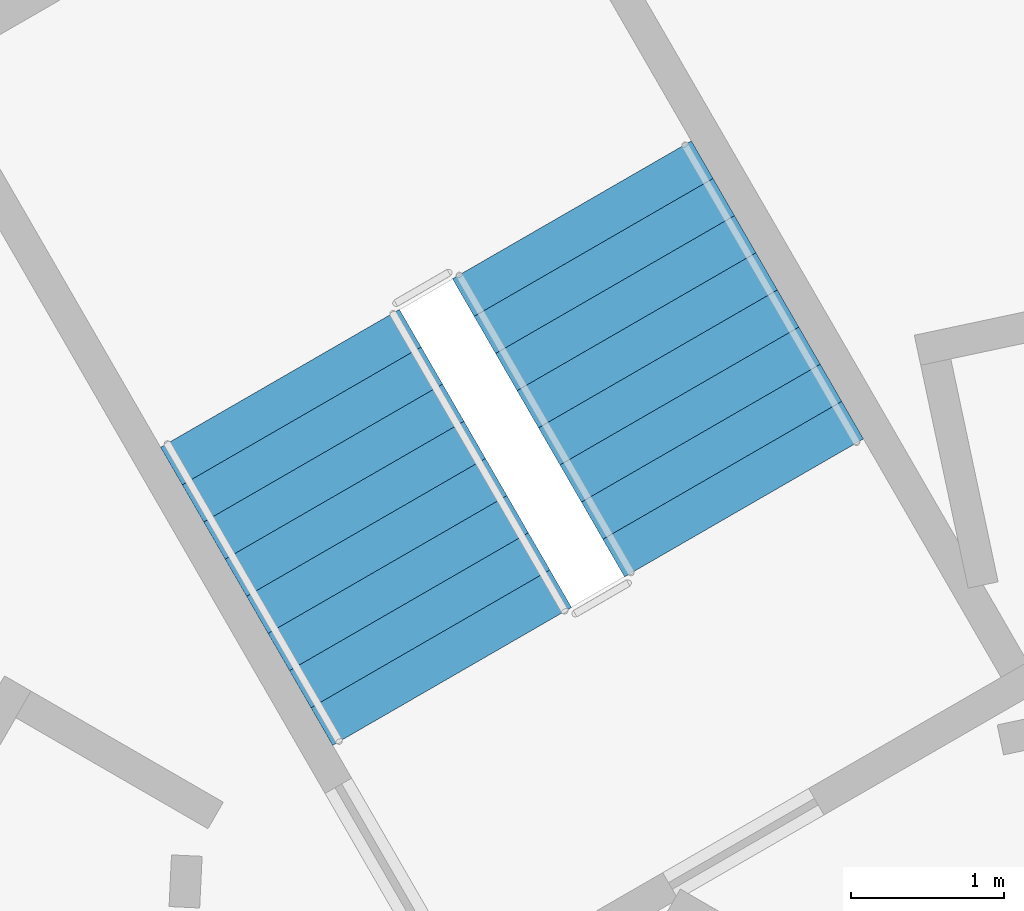
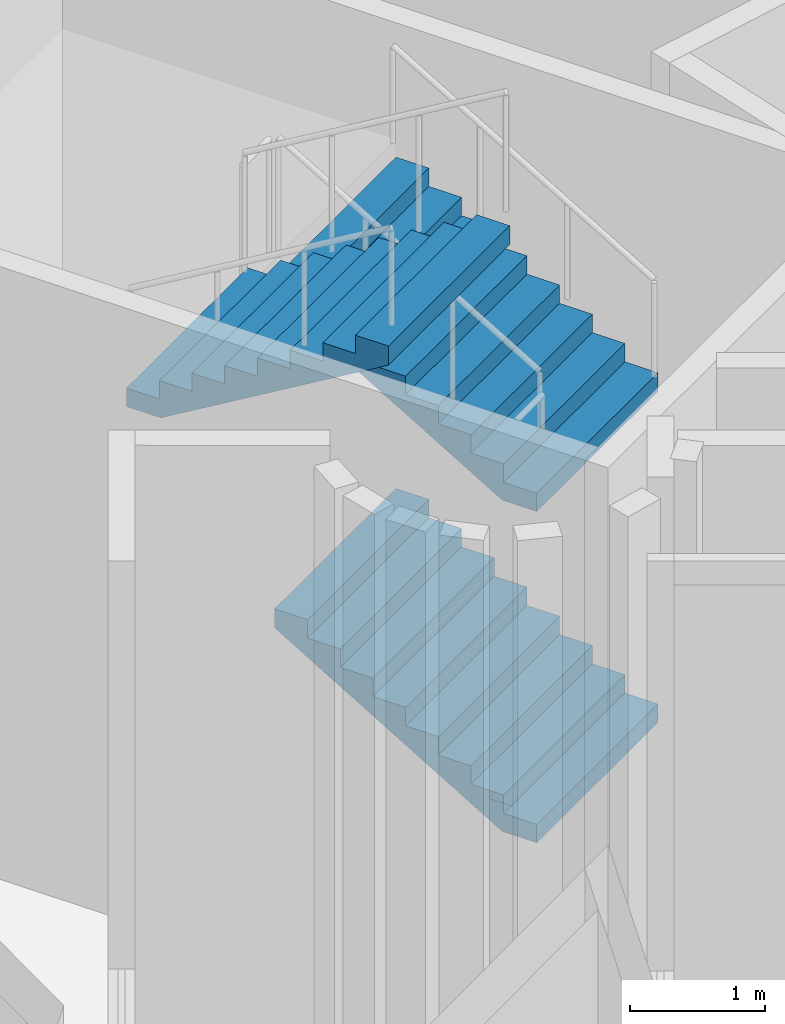
# One storey, part 10 of 15: 3 stair flights, 1 element without a shape of its own.
"""IFC4 building model written with IfcOpenShell, lengths in metres."""

from ifc_helpers import new_model, si_unit, direction, frame, origin, place, context, subcontext, project, spatial, triangles, material, type_object, element, aggregate, save


model = new_model("IFC4")

# Units and contexts
model_context = context("Model", 3, precision=1e-05, world=origin(), true_north=direction((0.0, 1.0)))
body_context = subcontext(model_context, "Body", "Model", "MODEL_VIEW")
ifc_project = project(units=[si_unit("LENGTHUNIT", "METRE"), si_unit("AREAUNIT", "SQUARE_METRE"), si_unit("VOLUMEUNIT", "CUBIC_METRE"), si_unit("PLANEANGLEUNIT", "RADIAN"), si_unit("MASSUNIT", "GRAM", prefix="KILO")], contexts=[model_context])

# Site, building, storey
site_placement = place(None, origin())
site = spatial("IfcSite", under=ifc_project, at=site_placement, CompositionType="ELEMENT")
building_placement = place(site_placement, origin())
building = spatial("IfcBuilding", under=site, at=building_placement, Name="Entoto Arch Interchange Tower", CompositionType="ELEMENT")
storey_placement = place(building_placement, frame((0.0, 0.0, 9.0)))
storey = spatial("IfcBuildingStorey", under=building, at=storey_placement, Name="L01", CompositionType="ELEMENT", Elevation=9.0)

# Stair, stair flights
ifc_material = material(Name="Concrete C40/50", Category="concrete")
stair_type = type_object("IfcStairType", Name="EXIT STAIR RC 1800", PredefinedType="HALF_TURN_STAIR", material=ifc_material)
stair_placement = place(storey_placement, origin())
stair = element("IfcStair", 1, at=stair_placement, inside=storey, type_object=stair_type, Name="L01 Exit stair NE", PredefinedType="HALF_TURN_STAIR")
stair_flight_type = type_object("IfcStairFlightType", Name="EXIT STAIR FLIGHT RC 1800", PredefinedType="STRAIGHT", material=ifc_material)
stair_flight_1_placement = place(storey_placement, frame((6.7138671875, 4.470947265625, 0.0), z_axis=(0.0, 0.0, 1.0), x_axis=(-0.5, 0.866025403784, 0.0)))
stair_flight_1 = element("IfcStairFlight", 2, at=stair_flight_1_placement, type_object=stair_flight_type, Name="ST-NE flight 1", NumberOfRisers=9, NumberOfTreads=8, PredefinedType="STRAIGHT", RiserHeight=0.166666667, TreadLength=0.28, context=body_context, shape_type="Tessellation", body=[
    triangles([(-0.003, -0.900024, 0.0), (-0.003, -0.900024, 0.166667), (0.28, -0.900024, 0.166667), (0.28, -0.900024, 0.333333), (0.56, -0.900024, 0.333333), (0.56, -0.900024, 0.5), (0.84, -0.900024, 0.5), (0.84, -0.900024, 0.666667), (1.12, -0.900024, 0.666667), (1.12, -0.900024, 0.833333), (1.4, -0.900024, 0.833333), (1.4, -0.900024, 1.0), (1.68, -0.900024, 1.0), (1.68, -0.900024, 1.166667), (1.96, -0.900024, 1.166667), (1.96, -0.900024, 1.333333), (2.24, -0.900024, 1.333333), (2.243, -0.900024, 1.333333), (2.243, -0.900024, 1.160671), (0.293073, -0.900024, 0.0), (-0.003, 0.900024, 0.0), (-0.003, 0.900024, 0.166667), (0.28, 0.900024, 0.166667), (0.28, 0.900024, 0.333333), (0.56, 0.900024, 0.333333), (0.56, 0.900024, 0.5), (0.84, 0.900024, 0.5), (0.84, 0.900024, 0.666667), (1.12, 0.900024, 0.666667), (1.12, 0.900024, 0.833333), (1.4, 0.900024, 0.833333), (1.4, 0.900024, 1.0), (1.68, 0.900024, 1.0), (1.68, 0.900024, 1.166667), (1.96, 0.900024, 1.166667), (1.96, 0.900024, 1.333333), (2.24, 0.900024, 1.333333), (2.243, 0.900024, 1.333333), (2.243, 0.900024, 1.160671), (0.293073, 0.900024, 0.0), (-0.003, 0.0, 0.0), (-0.003, 0.0, 0.166667), (0.28, 0.0, 0.166667), (0.28, 0.0, 0.333333), (0.56, 0.0, 0.333333), (0.56, 0.0, 0.5), (0.84, 0.0, 0.5), (0.84, 0.0, 0.666667), (1.12, 0.0, 0.666667), (1.12, 0.0, 0.833333), (1.4, 0.0, 0.833333), (1.4, 0.0, 1.0), (1.68, 0.0, 1.0), (1.68, 0.0, 1.166667), (1.96, 0.0, 1.166667), (1.96, 0.0, 1.333333), (2.24, 0.0, 1.333333), (2.243, 0.0, 1.333333), (2.243, 0.0, 1.160671), (0.293073, 0.0, 0.0)], [[1, 20, 19], [19, 18, 17], [19, 17, 16], [19, 16, 15], [19, 15, 14], [19, 14, 13], [13, 12, 11], [19, 13, 11], [11, 10, 9], [19, 11, 9], [9, 8, 7], [19, 9, 7], [7, 6, 5], [19, 7, 5], [5, 4, 3], [19, 5, 3], [1, 19, 3], [3, 2, 1], [21, 39, 40], [39, 37, 38], [39, 36, 37], [39, 35, 36], [39, 34, 35], [39, 33, 34], [33, 31, 32], [39, 31, 33], [31, 29, 30], [39, 29, 31], [29, 27, 28], [39, 27, 29], [27, 25, 26], [39, 25, 27], [25, 23, 24], [39, 23, 25], [21, 23, 39], [23, 21, 22], [1, 2, 42], [1, 42, 41], [41, 42, 22], [41, 22, 21], [2, 3, 43], [2, 43, 42], [42, 43, 23], [42, 23, 22], [3, 4, 44], [3, 44, 43], [43, 44, 24], [43, 24, 23], [4, 5, 45], [4, 45, 44], [44, 45, 25], [44, 25, 24], [5, 6, 46], [5, 46, 45], [45, 46, 26], [45, 26, 25], [6, 7, 47], [6, 47, 46], [46, 47, 27], [46, 27, 26], [7, 8, 48], [7, 48, 47], [47, 48, 28], [47, 28, 27], [8, 9, 49], [8, 49, 48], [48, 49, 29], [48, 29, 28], [9, 10, 50], [9, 50, 49], [49, 50, 30], [49, 30, 29], [10, 11, 51], [10, 51, 50], [50, 51, 31], [50, 31, 30], [11, 12, 52], [11, 52, 51], [51, 52, 32], [51, 32, 31], [12, 13, 53], [12, 53, 52], [52, 53, 33], [52, 33, 32], [13, 14, 54], [13, 54, 53], [53, 54, 34], [53, 34, 33], [14, 15, 55], [14, 55, 54], [54, 55, 35], [54, 35, 34], [15, 16, 56], [15, 56, 55], [55, 56, 36], [55, 36, 35], [16, 17, 57], [16, 57, 56], [56, 57, 37], [56, 37, 36], [17, 18, 58], [17, 58, 57], [57, 58, 38], [57, 38, 37], [18, 19, 59], [18, 59, 58], [58, 59, 39], [58, 39, 38], [19, 20, 60], [19, 60, 59], [59, 60, 40], [59, 40, 39], [20, 1, 41], [20, 41, 60], [60, 41, 21], [60, 21, 40]], closed=True),
])
stair_flight_2_placement = place(storey_placement, frame((6.7138671875, 4.470947265625, 3.0), z_axis=(0.0, 0.0, 1.0), x_axis=(-0.5, 0.866025403784, 0.0)))
stair_flight_2 = element("IfcStairFlight", 3, at=stair_flight_2_placement, type_object=stair_flight_type, Name="ST-NE flight 3", NumberOfRisers=9, NumberOfTreads=8, PredefinedType="STRAIGHT", RiserHeight=0.166666667, TreadLength=0.28, context=body_context, shape_type="Tessellation", body=[
    triangles([(-0.003, -0.900024, 0.0), (-0.003, -0.900024, 0.166667), (0.28, -0.900024, 0.166667), (0.28, -0.900024, 0.333333), (0.56, -0.900024, 0.333333), (0.56, -0.900024, 0.5), (0.84, -0.900024, 0.5), (0.84, -0.900024, 0.666667), (1.12, -0.900024, 0.666667), (1.12, -0.900024, 0.833333), (1.4, -0.900024, 0.833333), (1.4, -0.900024, 1.0), (1.68, -0.900024, 1.0), (1.68, -0.900024, 1.166667), (1.96, -0.900024, 1.166667), (1.96, -0.900024, 1.333333), (2.24, -0.900024, 1.333333), (2.243, -0.900024, 1.333333), (2.243, -0.900024, 1.160671), (0.293073, -0.900024, 0.0), (-0.003, 0.900024, 0.0), (-0.003, 0.900024, 0.166667), (0.28, 0.900024, 0.166667), (0.28, 0.900024, 0.333333), (0.56, 0.900024, 0.333333), (0.56, 0.900024, 0.5), (0.84, 0.900024, 0.5), (0.84, 0.900024, 0.666667), (1.12, 0.900024, 0.666667), (1.12, 0.900024, 0.833333), (1.4, 0.900024, 0.833333), (1.4, 0.900024, 1.0), (1.68, 0.900024, 1.0), (1.68, 0.900024, 1.166667), (1.96, 0.900024, 1.166667), (1.96, 0.900024, 1.333333), (2.24, 0.900024, 1.333333), (2.243, 0.900024, 1.333333), (2.243, 0.900024, 1.160671), (0.293073, 0.900024, 0.0), (-0.003, 0.0, 0.0), (-0.003, 0.0, 0.166667), (0.28, 0.0, 0.166667), (0.28, 0.0, 0.333333), (0.56, 0.0, 0.333333), (0.56, 0.0, 0.5), (0.84, 0.0, 0.5), (0.84, 0.0, 0.666667), (1.12, 0.0, 0.666667), (1.12, 0.0, 0.833333), (1.4, 0.0, 0.833333), (1.4, 0.0, 1.0), (1.68, 0.0, 1.0), (1.68, 0.0, 1.166667), (1.96, 0.0, 1.166667), (1.96, 0.0, 1.333333), (2.24, 0.0, 1.333333), (2.243, 0.0, 1.333333), (2.243, 0.0, 1.160671), (0.293073, 0.0, 0.0)], [[1, 20, 19], [19, 18, 17], [19, 17, 16], [19, 16, 15], [19, 15, 14], [19, 14, 13], [13, 12, 11], [19, 13, 11], [11, 10, 9], [19, 11, 9], [9, 8, 7], [19, 9, 7], [7, 6, 5], [19, 7, 5], [5, 4, 3], [19, 5, 3], [1, 19, 3], [3, 2, 1], [21, 39, 40], [39, 37, 38], [39, 36, 37], [39, 35, 36], [39, 34, 35], [39, 33, 34], [33, 31, 32], [39, 31, 33], [31, 29, 30], [39, 29, 31], [29, 27, 28], [39, 27, 29], [27, 25, 26], [39, 25, 27], [25, 23, 24], [39, 23, 25], [21, 23, 39], [23, 21, 22], [1, 2, 42], [1, 42, 41], [41, 42, 22], [41, 22, 21], [2, 3, 43], [2, 43, 42], [42, 43, 23], [42, 23, 22], [3, 4, 44], [3, 44, 43], [43, 44, 24], [43, 24, 23], [4, 5, 45], [4, 45, 44], [44, 45, 25], [44, 25, 24], [5, 6, 46], [5, 46, 45], [45, 46, 26], [45, 26, 25], [6, 7, 47], [6, 47, 46], [46, 47, 27], [46, 27, 26], [7, 8, 48], [7, 48, 47], [47, 48, 28], [47, 28, 27], [8, 9, 49], [8, 49, 48], [48, 49, 29], [48, 29, 28], [9, 10, 50], [9, 50, 49], [49, 50, 30], [49, 30, 29], [10, 11, 51], [10, 51, 50], [50, 51, 31], [50, 31, 30], [11, 12, 52], [11, 52, 51], [51, 52, 32], [51, 32, 31], [12, 13, 53], [12, 53, 52], [52, 53, 33], [52, 33, 32], [13, 14, 54], [13, 54, 53], [53, 54, 34], [53, 34, 33], [14, 15, 55], [14, 55, 54], [54, 55, 35], [54, 35, 34], [15, 16, 56], [15, 56, 55], [55, 56, 36], [55, 36, 35], [16, 17, 57], [16, 57, 56], [56, 57, 37], [56, 37, 36], [17, 18, 58], [17, 58, 57], [57, 58, 38], [57, 38, 37], [18, 19, 59], [18, 59, 58], [58, 59, 39], [58, 39, 38], [19, 20, 60], [19, 60, 59], [59, 60, 40], [59, 40, 39], [20, 1, 41], [20, 41, 60], [60, 41, 21], [60, 21, 40]], closed=True),
])
stair_flight_3_placement = place(storey_placement, frame((3.688720703125, 5.31103515625, 4.5), z_axis=(0.0, 0.0, 1.0), x_axis=(0.5, -0.866025403784, 0.0)))
stair_flight_3 = element("IfcStairFlight", 4, at=stair_flight_3_placement, type_object=stair_flight_type, Name="ST-NE flight 4", NumberOfRisers=9, NumberOfTreads=8, PredefinedType="STRAIGHT", RiserHeight=0.166666667, TreadLength=0.28, context=body_context, shape_type="Tessellation", body=[
    triangles([(-0.003, -0.900024, 0.0), (-0.003, -0.900024, 0.166667), (0.28, -0.900024, 0.166667), (0.28, -0.900024, 0.333333), (0.56, -0.900024, 0.333333), (0.56, -0.900024, 0.5), (0.84, -0.900024, 0.5), (0.84, -0.900024, 0.666667), (1.12, -0.900024, 0.666667), (1.12, -0.900024, 0.833333), (1.4, -0.900024, 0.833333), (1.4, -0.900024, 1.0), (1.68, -0.900024, 1.0), (1.68, -0.900024, 1.166667), (1.96, -0.900024, 1.166667), (1.96, -0.900024, 1.333333), (2.24, -0.900024, 1.333333), (2.243, -0.900024, 1.333333), (2.243, -0.900024, 1.160671), (0.293073, -0.900024, 0.0), (-0.003, 0.900024, 0.0), (-0.003, 0.900024, 0.166667), (0.28, 0.900024, 0.166667), (0.28, 0.900024, 0.333333), (0.56, 0.900024, 0.333333), (0.56, 0.900024, 0.5), (0.84, 0.900024, 0.5), (0.84, 0.900024, 0.666667), (1.12, 0.900024, 0.666667), (1.12, 0.900024, 0.833333), (1.4, 0.900024, 0.833333), (1.4, 0.900024, 1.0), (1.68, 0.900024, 1.0), (1.68, 0.900024, 1.166667), (1.96, 0.900024, 1.166667), (1.96, 0.900024, 1.333333), (2.24, 0.900024, 1.333333), (2.243, 0.900024, 1.333333), (2.243, 0.900024, 1.160671), (0.293073, 0.900024, 0.0), (-0.003, 0.0, 0.0), (-0.003, 0.0, 0.166667), (0.28, 0.0, 0.166667), (0.28, 0.0, 0.333333), (0.56, 0.0, 0.333333), (0.56, 0.0, 0.5), (0.84, 0.0, 0.5), (0.84, 0.0, 0.666667), (1.12, 0.0, 0.666667), (1.12, 0.0, 0.833333), (1.4, 0.0, 0.833333), (1.4, 0.0, 1.0), (1.68, 0.0, 1.0), (1.68, 0.0, 1.166667), (1.96, 0.0, 1.166667), (1.96, 0.0, 1.333333), (2.24, 0.0, 1.333333), (2.243, 0.0, 1.333333), (2.243, 0.0, 1.160671), (0.293073, 0.0, 0.0)], [[1, 20, 19], [19, 18, 17], [19, 17, 16], [19, 16, 15], [19, 15, 14], [19, 14, 13], [13, 12, 11], [19, 13, 11], [11, 10, 9], [19, 11, 9], [9, 8, 7], [19, 9, 7], [7, 6, 5], [19, 7, 5], [5, 4, 3], [19, 5, 3], [1, 19, 3], [3, 2, 1], [21, 39, 40], [39, 37, 38], [39, 36, 37], [39, 35, 36], [39, 34, 35], [39, 33, 34], [33, 31, 32], [39, 31, 33], [31, 29, 30], [39, 29, 31], [29, 27, 28], [39, 27, 29], [27, 25, 26], [39, 25, 27], [25, 23, 24], [39, 23, 25], [21, 23, 39], [23, 21, 22], [1, 2, 42], [1, 42, 41], [41, 42, 22], [41, 22, 21], [2, 3, 43], [2, 43, 42], [42, 43, 23], [42, 23, 22], [3, 4, 44], [3, 44, 43], [43, 44, 24], [43, 24, 23], [4, 5, 45], [4, 45, 44], [44, 45, 25], [44, 25, 24], [5, 6, 46], [5, 46, 45], [45, 46, 26], [45, 26, 25], [6, 7, 47], [6, 47, 46], [46, 47, 27], [46, 27, 26], [7, 8, 48], [7, 48, 47], [47, 48, 28], [47, 28, 27], [8, 9, 49], [8, 49, 48], [48, 49, 29], [48, 29, 28], [9, 10, 50], [9, 50, 49], [49, 50, 30], [49, 30, 29], [10, 11, 51], [10, 51, 50], [50, 51, 31], [50, 31, 30], [11, 12, 52], [11, 52, 51], [51, 52, 32], [51, 32, 31], [12, 13, 53], [12, 53, 52], [52, 53, 33], [52, 33, 32], [13, 14, 54], [13, 54, 53], [53, 54, 34], [53, 34, 33], [14, 15, 55], [14, 55, 54], [54, 55, 35], [54, 35, 34], [15, 16, 56], [15, 56, 55], [55, 56, 36], [55, 36, 35], [16, 17, 57], [16, 57, 56], [56, 57, 37], [56, 37, 36], [17, 18, 58], [17, 58, 57], [57, 58, 38], [57, 38, 37], [18, 19, 59], [18, 59, 58], [58, 59, 39], [58, 39, 38], [19, 20, 60], [19, 60, 59], [59, 60, 40], [59, 40, 39], [20, 1, 41], [20, 41, 60], [60, 41, 21], [60, 21, 40]], closed=True),
])
aggregate(stair, [stair_flight_1, stair_flight_2, stair_flight_3])

save(model, "model.ifc")
